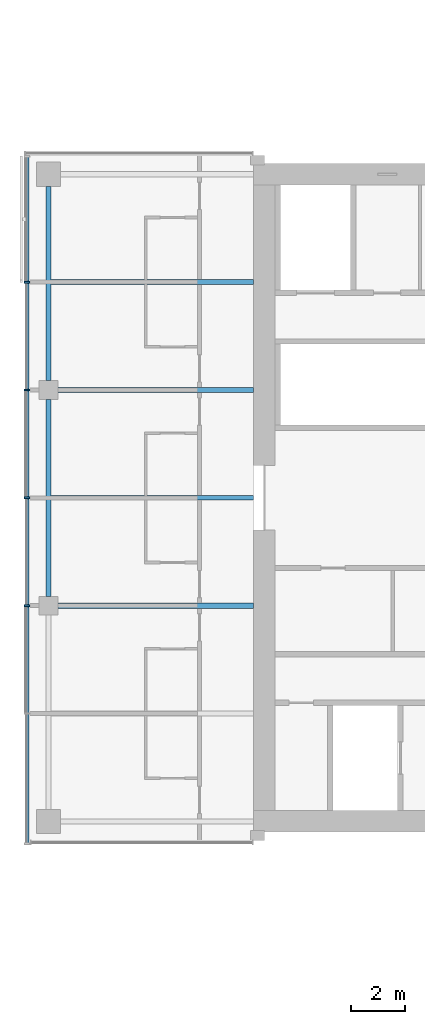
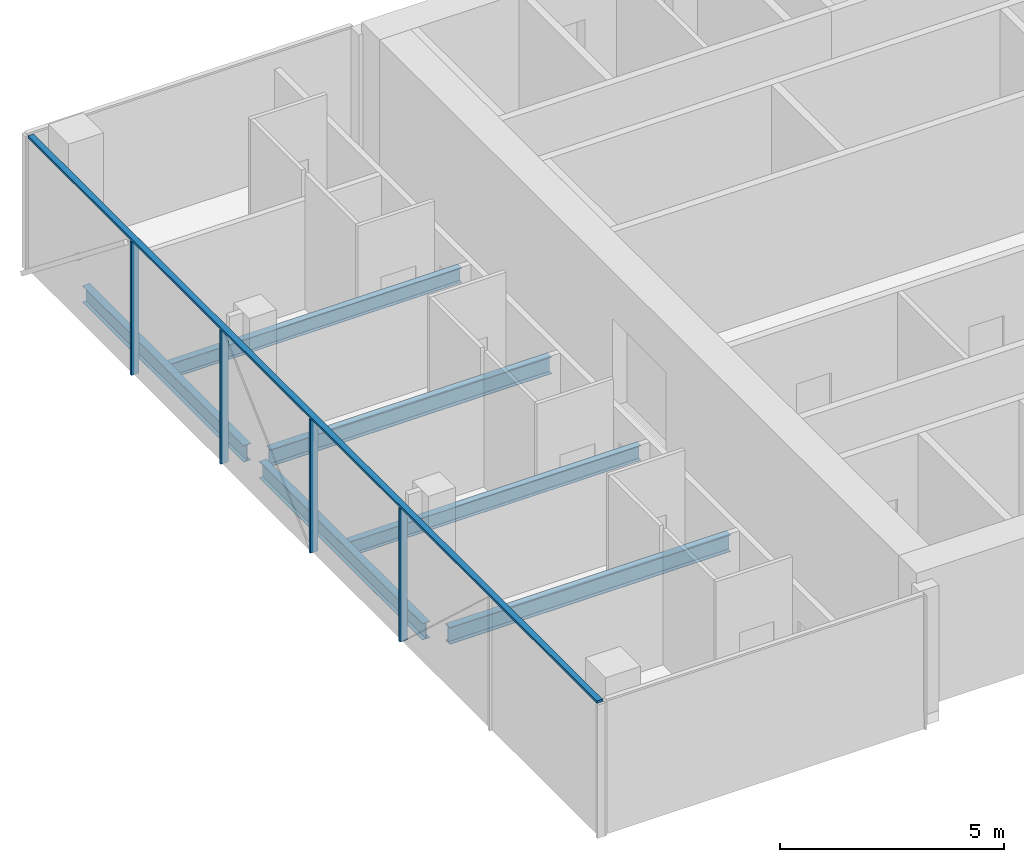
# One storey, part 6 of 27: 6 beams, 5 members, 1 element without a shape of its own.
"""IFC4 building model written with IfcOpenShell, lengths in metres."""

from ifc_helpers import new_model, si_unit, direction, frame, origin, origin_2d, place, context, subcontext, project, spatial, rectangle, i_section, extrude, material, material_profile, profile_set, type_object, element, aggregate, save


model = new_model("IFC4")

# Units and contexts
model_context = context("Model", 3, precision=1e-05, world=origin(), true_north=direction((0.0, 1.0)))
body_context = subcontext(model_context, "Body", "Model", "MODEL_VIEW")
ifc_project = project(units=[si_unit("LENGTHUNIT", "METRE"), si_unit("AREAUNIT", "SQUARE_METRE"), si_unit("VOLUMEUNIT", "CUBIC_METRE"), si_unit("PLANEANGLEUNIT", "RADIAN"), si_unit("MASSUNIT", "GRAM", prefix="KILO")], contexts=[model_context])

# Site, building, storey
site_placement = place(None, origin())
site = spatial("IfcSite", under=ifc_project, at=site_placement, CompositionType="ELEMENT")
building_placement = place(site_placement, origin())
building = spatial("IfcBuilding", under=site, at=building_placement, Name="Crosswind Convention Tower", CompositionType="ELEMENT")
storey_placement = place(building_placement, frame((0.0, 0.0, 72.0)))
storey = spatial("IfcBuildingStorey", under=building, at=storey_placement, Name="L12", CompositionType="ELEMENT", Elevation=72.0)

# Beams
ifc_material_1 = material(Name="Steel S355", Category="steel")
ifc_material_profile_1 = material_profile(ifc_material_1, i_section(OverallWidth=0.1904296875, OverallDepth=0.457275390625, WebThickness=0.009033203125, FlangeThickness=0.014404296875, FilletRadius=0.01025390625, at=origin_2d()), Name="UB 457x191x75")
ifc_profile_set_1 = profile_set([ifc_material_profile_1], Name="Steel S355")
beam_type_1 = type_object("IfcBeamType", Name="Edge beam UB 457x191x75", PredefinedType="SPANDREL", material=ifc_profile_set_1)
beam_1_placement = place(storey_placement, frame((89.0, 96.35009765625, -0.508544921875), z_axis=(0.0, 1.0, 0.0), x_axis=(-1.0, 0.0, 0.0)))
element("IfcBeam", 1, at=beam_1_placement, inside=storey, type_object=beam_type_1, Name="B17 L12 edge beam 2", PredefinedType="SPANDREL", context=body_context, shape_type="SweptSolid", body=[
    extrude(i_section(OverallWidth=0.1904296875, OverallDepth=0.457275390625, WebThickness=0.009033203125, FlangeThickness=0.014404296875, FilletRadius=0.01025390625, at=origin_2d()), origin(), (0.0, 0.0, 1.0), 7.2998046875),
])
beam_2_placement = place(storey_placement, frame((89.0, 104.35009765625, -0.508544921875), z_axis=(0.0, 1.0, 0.0), x_axis=(-1.0, 0.0, 0.0)))
element("IfcBeam", 2, at=beam_2_placement, inside=storey, type_object=beam_type_1, Name="B17 L12 edge beam 3", PredefinedType="SPANDREL", context=body_context, shape_type="SweptSolid", body=[
    extrude(i_section(OverallWidth=0.1904296875, OverallDepth=0.457275390625, WebThickness=0.009033203125, FlangeThickness=0.014404296875, FilletRadius=0.01025390625, at=origin_2d()), origin(), (0.0, 0.0, 1.0), 7.199951171875),
])
ifc_material_profile_2 = material_profile(ifc_material_1, i_section(OverallWidth=0.19189453125, OverallDepth=0.463623046875, WebThickness=0.010498046875, FlangeThickness=0.017578125, FilletRadius=0.01025390625, at=origin_2d()), Name="UB 457x191x90")
ifc_profile_set_2 = profile_set([ifc_material_profile_2], Name="Steel S355")
beam_type_2 = type_object("IfcBeamType", Name="Girder at core wall UB 457x191x90", PredefinedType="BEAM", material=ifc_profile_set_2)
for number, where, z_axis, x_axis, name in (
    (3, (89.35009765625, 96.0, -0.51171875), (1.0, 0.0, 0.0), (0.0, 1.0, 0.0), "B24 L12 girder at core wall 1"),
    (4, (89.35009765625, 104.0, -0.51171875), (1.0, 0.0, 0.0), (0.0, 1.0, 0.0), "B24 L12 girder at core wall 2"),
):
    element("IfcBeam", number, at=place(storey_placement, frame(where, z_axis=z_axis, x_axis=x_axis)), inside=storey, type_object=beam_type_2, Name=name, PredefinedType="BEAM", context=body_context, shape_type="SweptSolid", body=[
        extrude(i_section(OverallWidth=0.19189453125, OverallDepth=0.463623046875, WebThickness=0.010498046875, FlangeThickness=0.017578125, FilletRadius=0.01025390625, at=origin_2d()), origin(), (0.0, 0.0, 1.0), 7.25),
    ])

# Curtain wall, members
ifc_material_2 = material(Name="Aluminium unitised curtain wall", Category="aluminium")
curtain_wall_type = type_object("IfcCurtainWallType", Name="HOTEL UNITISED WALL 200", PredefinedType="USERDEFINED", material=ifc_material_2)
curtain_wall_placement = place(storey_placement, origin())
curtain_wall = element("IfcCurtainWall", 5, at=curtain_wall_placement, inside=storey, type_object=curtain_wall_type, Name="CW2 L12 W-TIP 1", ObjectType="UNITISED", PredefinedType="USERDEFINED")
ifc_material_3 = material(Name="Aluminium mullion", Category="aluminium")
ifc_material_profile_3 = material_profile(ifc_material_3, rectangle(XDim=0.199951171875, YDim=0.06494140625, at=origin_2d()), Name="AL 200X65")
ifc_profile_set_3 = profile_set([ifc_material_profile_3], Name="Aluminium mullion")
member_type_1 = type_object("IfcMemberType", Name="MULLION 65X200", PredefinedType="MULLION", material=ifc_profile_set_3)
member_1_placement = place(storey_placement, frame((88.199951171875, 108.0, -0.280029296875), z_axis=(0.0, 0.0, 1.0), x_axis=(-1.0, 0.0, 0.0)))
member_1 = element("IfcMember", 6, at=member_1_placement, type_object=member_type_1, Name="CW2 mullion 2", PredefinedType="MULLION", context=body_context, shape_type="SweptSolid", body=[
    extrude(rectangle(XDim=0.199951171875, YDim=0.06494140625, at=origin_2d()), origin(), (0.0, 0.0, 1.0), 3.635009765625),
])
member_2_placement = place(storey_placement, frame((88.199951171875, 104.0, -0.280029296875), z_axis=(0.0, 0.0, 1.0), x_axis=(-1.0, 0.0, 0.0)))
member_2 = element("IfcMember", 7, at=member_2_placement, type_object=member_type_1, Name="CW2 mullion 3", PredefinedType="MULLION", context=body_context, shape_type="SweptSolid", body=[
    extrude(rectangle(XDim=0.199951171875, YDim=0.06494140625, at=origin_2d()), origin(), (0.0, 0.0, 1.0), 3.635009765625),
])
member_3_placement = place(storey_placement, frame((88.199951171875, 100.0, -0.280029296875), z_axis=(0.0, 0.0, 1.0), x_axis=(-1.0, 0.0, 0.0)))
member_3 = element("IfcMember", 8, at=member_3_placement, type_object=member_type_1, Name="CW2 mullion 4", PredefinedType="MULLION", context=body_context, shape_type="SweptSolid", body=[
    extrude(rectangle(XDim=0.199951171875, YDim=0.06494140625, at=origin_2d()), origin(), (0.0, 0.0, 1.0), 3.635009765625),
])
member_4_placement = place(storey_placement, frame((88.199951171875, 96.0, -0.280029296875), z_axis=(0.0, 0.0, 1.0), x_axis=(-1.0, 0.0, 0.0)))
member_4 = element("IfcMember", 9, at=member_4_placement, type_object=member_type_1, Name="CW2 mullion 5", PredefinedType="MULLION", context=body_context, shape_type="SweptSolid", body=[
    extrude(rectangle(XDim=0.199951171875, YDim=0.06494140625, at=origin_2d()), origin(), (0.0, 0.0, 1.0), 3.635009765625),
])

# Beams
ifc_material_profile_4 = material_profile(ifc_material_1, i_section(OverallWidth=0.177734375, OverallDepth=0.406494140625, WebThickness=0.0078125, FlangeThickness=0.0126953125, FilletRadius=0.01025390625, at=origin_2d()), Name="UB 406x178x60")
ifc_profile_set_4 = profile_set([ifc_material_profile_4], Name="Steel S355")
beam_type_3 = type_object("IfcBeamType", Name="Secondary beam UB 406x178x60", PredefinedType="JOIST", material=ifc_profile_set_4)
for number, where, z_axis, x_axis, name in (
    (10, (89.09521484375, 100.0, -0.483154296875), (1.0, 0.0, 0.0), (0.0, 1.0, 0.0), "B10 L12 secondary beam 2"),
    (11, (89.09521484375, 108.0, -0.483154296875), (1.0, 0.0, 0.0), (0.0, 1.0, 0.0), "B10 L12 secondary beam 3"),
):
    element("IfcBeam", number, at=place(storey_placement, frame(where, z_axis=z_axis, x_axis=x_axis)), inside=storey, type_object=beam_type_3, Name=name, PredefinedType="JOIST", context=body_context, shape_type="SweptSolid", body=[
        extrude(i_section(OverallWidth=0.177734375, OverallDepth=0.406494140625, WebThickness=0.0078125, FlangeThickness=0.0126953125, FilletRadius=0.01025390625, at=origin_2d()), origin(), (0.0, 0.0, 1.0), 7.5048828125),
    ])

# Member
ifc_material_4 = material(Name="Aluminium transom", Category="aluminium")
ifc_material_profile_5 = material_profile(ifc_material_4, rectangle(XDim=0.14990234375, YDim=0.06494140625, at=origin_2d()), Name="AL 150X65")
ifc_profile_set_5 = profile_set([ifc_material_profile_5], Name="Aluminium transom")
member_type_2 = type_object("IfcMemberType", Name="TRANSOM 65X150", PredefinedType="USERDEFINED", material=ifc_profile_set_5)
member_5_placement = place(storey_placement, frame((88.199951171875, 112.635009765625, 3.387451171875), z_axis=(0.0, -1.0, 0.0), x_axis=(1.0, 0.0, 0.0)))
member_5 = element("IfcMember", 12, at=member_5_placement, type_object=member_type_2, Name="CW2 transom", ObjectType="TRANSOM", PredefinedType="USERDEFINED", context=body_context, shape_type="SweptSolid", body=[
    extrude(rectangle(XDim=0.14990234375, YDim=0.06494140625, at=origin_2d()), origin(), (0.0, 0.0, 1.0), 25.429931640625),
])

aggregate(curtain_wall, [member_1, member_2, member_3, member_4, member_5])

save(model, "model.ifc")
